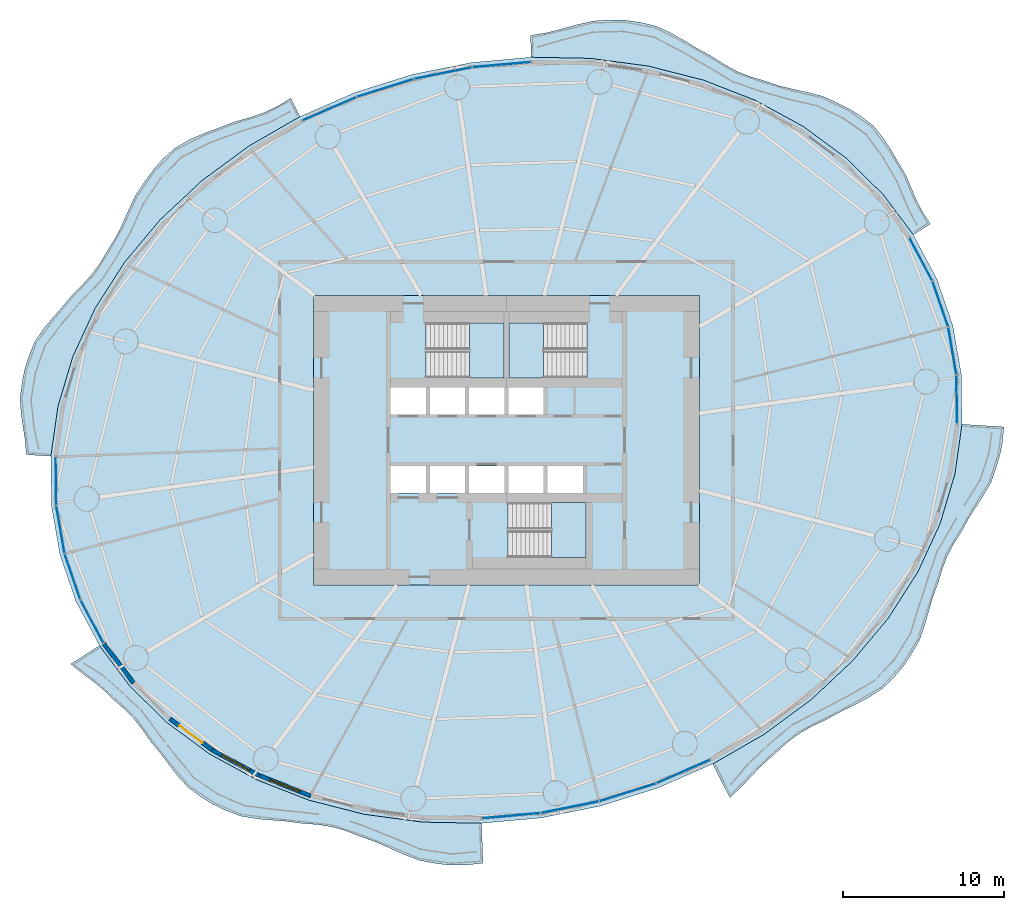
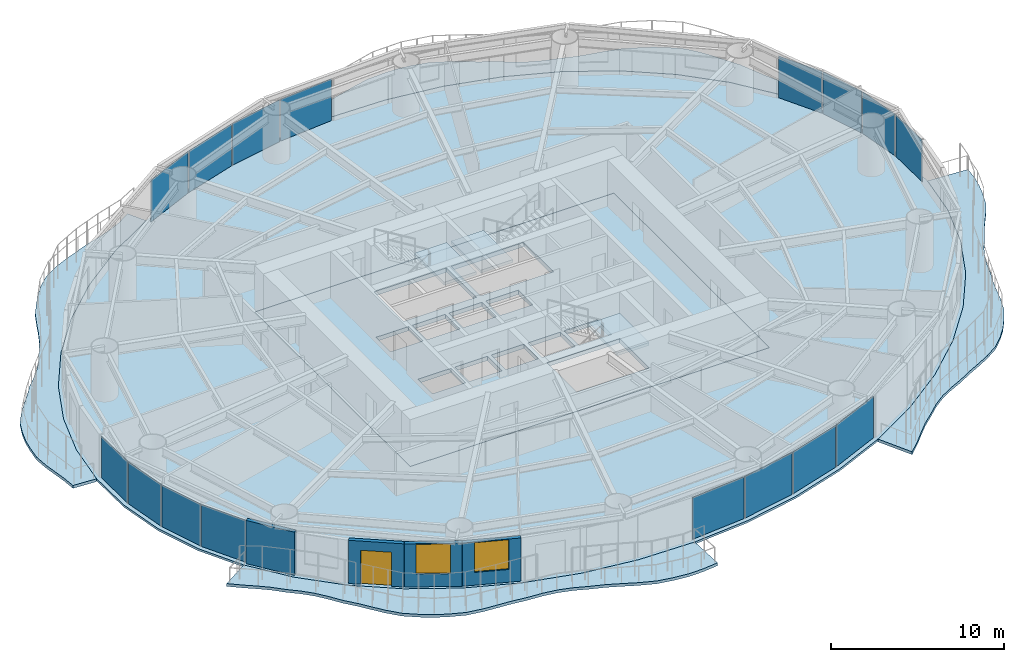
# One storey, part 7 of 17: 16 plates, 9 slabs, 4 walls, 2 windows, 1 door, 3 openings, 19 elements without a shape of their own.
"""IFC4 building model written with IfcOpenShell, lengths in metres."""

from ifc_helpers import new_model, si_unit, direction, frame, frame_2d, origin, origin_2d, place, context, subcontext, project, spatial, polyline, rectangle, outline, extrude, material, layer, layer_set, type_object, element, fill, aggregate, save


model = new_model("IFC4")

# Units and contexts
model_context = context("Model", 3, precision=1e-05, world=origin(), true_north=direction((0.0, 1.0)))
body_context = subcontext(model_context, "Body", "Model", "MODEL_VIEW")
ifc_project = project(units=[si_unit("LENGTHUNIT", "METRE"), si_unit("AREAUNIT", "SQUARE_METRE"), si_unit("VOLUMEUNIT", "CUBIC_METRE"), si_unit("PLANEANGLEUNIT", "RADIAN"), si_unit("MASSUNIT", "GRAM", prefix="KILO")], contexts=[model_context])

# Site, building, storey
site_placement = place(None, origin())
site = spatial("IfcSite", under=ifc_project, at=site_placement, CompositionType="ELEMENT")
building_placement = place(site_placement, origin())
building = spatial("IfcBuilding", under=site, at=building_placement, Name="Vermilion Reach Broadcast Tower", CompositionType="ELEMENT")
storey_placement = place(building_placement, frame((0.0, 0.0, 92.199951171875)))
storey = spatial("IfcBuildingStorey", under=building, at=storey_placement, Name="L20", CompositionType="ELEMENT", Elevation=92.199951171875)

# Slabs
ifc_material_1 = material(Name="Concrete C40/50", Category="concrete")
ifc_layer_1 = layer(ifc_material_1, 0.199951171875)
ifc_layer_set_1 = layer_set([ifc_layer_1], Name="Balcony slab 200")
slab_type_1 = type_object("IfcSlabType", Name="Balcony slab 200", PredefinedType="FLOOR", material=ifc_layer_set_1)
placement_1 = place(storey_placement, frame((0.0, 0.0, -0.199951171875)))
element("IfcSlab", 1, at=placement_1, inside=storey, type_object=slab_type_1, Name="Balcony slab L20 group 1", PredefinedType="FLOOR", context=body_context, shape_type="SweptSolid", body=[
    extrude(outline(polyline([(19.30712890625, 12.774658203125), (17.416015625, 15.29296875), (15.12451171875, 17.5498046875), (12.471435546875, 19.50634765625), (9.502197265625, 21.12890625), (6.267822265625, 22.39013671875), (2.823486328125, 23.268310546875), (-0.771728515625, 23.748291015625), (-4.45654296875, 23.82177734375), (-4.503662109375, 25.1728515625), (-3.504638671875, 25.341552734375), (-2.578369140625, 25.57763671875), (-1.651611328125, 25.838623046875), (-0.593505859375, 26.077392578125), (0.461669921875, 26.134765625), (1.37451171875, 26.120849609375), (2.273681640625, 26.001953125), (3.305419921875, 25.75830078125), (4.262939453125, 25.317626953125), (5.062744140625, 24.857421875), (5.857177734375, 24.37646484375), (6.74951171875, 23.89013671875), (7.578125, 23.36181640625), (8.3466796875, 22.943359375), (9.14990234375, 22.61474609375), (10.0693359375, 22.346435546875), (10.966552734375, 22.04443359375), (11.816650390625, 21.836181640625), (12.68115234375, 21.65380859375), (13.676025390625, 21.394775390625), (14.583740234375, 20.982421875), (15.33251953125, 20.60888671875), (16.032958984375, 20.170166015625), (16.83056640625, 19.548583984375), (17.460205078125, 18.775634765625), (17.90869140625, 18.0849609375), (18.323974609375, 17.361083984375), (18.8251953125, 16.525146484375), (19.1982421875, 15.646484375), (19.516845703125, 14.9013671875), (19.8828125, 14.19140625), (20.36669921875, 13.448974609375), (19.30712890625, 12.774658203125)])), origin(), (0.0, 0.0, 1.0), 0.199951171875),
])
element("IfcSlab", 2, at=placement_1, inside=storey, type_object=slab_type_1, Name="Balcony slab L20 group 2", PredefinedType="FLOOR", context=body_context, shape_type="SweptSolid", body=[
    extrude(outline(polyline([(-18.828857421875, 20.131591796875), (-22.022216796875, 18.2919921875), (-24.941650390625, 16.139404296875), (-27.536865234375, 13.710693359375), (-29.763671875, 11.047119140625), (-31.583740234375, 8.19482421875), (-32.966064453125, 5.2021484375), (-33.88720703125, 2.12060546875), (-34.3310546875, -0.997314453125), (-35.858154296875, -0.899169921875), (-35.940673828125, 0.027099609375), (-36.064453125, 0.840087890625), (-36.185302734375, 1.652587890625), (-36.2509765625, 2.638916015625), (-36.11474609375, 3.62548828125), (-35.95849609375, 4.418212890625), (-35.721435546875, 5.1865234375), (-35.352294921875, 6.104736328125), (-34.7783203125, 6.947021484375), (-34.23046875, 7.601806640625), (-33.6591796875, 8.245849609375), (-33.0458984375, 8.994140625), (-32.3525390625, 9.688720703125), (-31.776123046875, 10.324462890625), (-31.27294921875, 11.0068359375), (-30.804443359375, 11.8095703125), (-30.294921875, 12.62255859375), (-29.89599609375, 13.42041015625), (-29.53271484375, 14.248046875), (-29.09375, 15.1826171875), (-28.513916015625, 16.05517578125), (-27.986083984375, 16.79150390625), (-27.39697265625, 17.46240234375), (-26.625, 18.1630859375), (-25.7001953125, 18.696044921875), (-24.84814453125, 19.068359375), (-23.963623046875, 19.396728515625), (-22.99072265625, 19.773193359375), (-21.981201171875, 20.06640625), (-21.092529296875, 20.369873046875), (-20.2529296875, 20.7578125), (-19.407470703125, 21.27734375), (-18.828857421875, 20.131591796875)])), origin(), (0.0, 0.0, 1.0), 0.199951171875),
])
element("IfcSlab", 3, at=placement_1, inside=storey, type_object=slab_type_1, Name="Balcony slab L20 group 3", PredefinedType="FLOOR", context=body_context, shape_type="SweptSolid", body=[
    extrude(outline(polyline([(-31.30712890625, -12.774658203125), (-29.416015625, -15.29296875), (-27.12451171875, -17.5498046875), (-24.471435546875, -19.50634765625), (-21.502197265625, -21.12890625), (-18.267822265625, -22.39013671875), (-14.823486328125, -23.268310546875), (-11.228271484375, -23.748291015625), (-7.54345703125, -23.82177734375), (-7.456787109375, -26.30419921875), (-8.516845703125, -26.419677734375), (-9.438720703125, -26.431396484375), (-10.3583984375, -26.332275390625), (-11.41064453125, -26.132080078125), (-12.41064453125, -25.751708984375), (-13.27294921875, -25.35986328125), (-14.13720703125, -24.980712890625), (-15.089599609375, -24.64306640625), (-15.999755859375, -24.285400390625), (-16.85546875, -24.044677734375), (-17.73681640625, -23.904296875), (-18.72998046875, -23.829345703125), (-19.708740234375, -23.69677734375), (-20.612548828125, -23.625244140625), (-21.513427734375, -23.546875), (-22.54638671875, -23.37060546875), (-23.49267578125, -23.00732421875), (-24.257568359375, -22.64306640625), (-24.977294921875, -22.196044921875), (-25.801513671875, -21.591552734375), (-26.481201171875, -20.84326171875), (-27.002197265625, -20.1611328125), (-27.517333984375, -19.470947265625), (-28.13427734375, -18.73291015625), (-28.664306640625, -17.96728515625), (-29.164306640625, -17.329345703125), (-29.72216796875, -16.749755859375), (-30.40966796875, -16.161865234375), (-31.051025390625, -15.5361328125), (-31.6796875, -15.023681640625), (-32.336669921875, -14.5322265625), (-33.098876953125, -13.9150390625), (-31.30712890625, -12.774658203125)])), origin(), (0.0, 0.0, 1.0), 0.199951171875),
])
element("IfcSlab", 4, at=placement_1, inside=storey, type_object=slab_type_1, Name="Balcony slab L20 group 4", PredefinedType="FLOOR", context=body_context, shape_type="SweptSolid", body=[
    extrude(outline(polyline([(6.828857421875, -20.131591796875), (10.022216796875, -18.2919921875), (12.941650390625, -16.139404296875), (15.536865234375, -13.710693359375), (17.763671875, -11.047119140625), (19.583740234375, -8.19482421875), (20.966064453125, -5.2021484375), (21.88720703125, -2.12060546875), (22.3310546875, 0.997314453125), (24.945068359375, 0.82958984375), (24.843505859375, -0.155517578125), (24.689453125, -0.928955078125), (24.45947265625, -1.69140625), (24.14306640625, -2.615478515625), (23.64404296875, -3.48486328125), (23.1796875, -4.185302734375), (22.7294921875, -4.889892578125), (22.291015625, -5.703369140625), (21.791015625, -6.490966796875), (21.409912109375, -7.222900390625), (21.110107421875, -7.9921875), (20.844970703125, -8.88427734375), (20.5107421875, -9.789794921875), (20.26416015625, -10.635986328125), (20.024658203125, -11.486572265625), (19.681396484375, -12.451904296875), (19.162353515625, -13.347900390625), (18.676025390625, -14.072509765625), (18.114501953125, -14.734375), (17.37939453125, -15.452880859375), (16.4873046875, -16.026611328125), (15.66845703125, -16.4521484375), (14.83544921875, -16.8623046875), (13.947998046875, -17.349365234375), (13.027099609375, -17.782958984375), (12.232666015625, -18.23388671875), (11.501220703125, -18.769775390625), (10.77099609375, -19.43701171875), (10.00439453125, -20.106689453125), (9.335205078125, -20.791015625), (8.676513671875, -21.4931640625), (7.893310546875, -22.23876953125), (6.828857421875, -20.131591796875)])), origin(), (0.0, 0.0, 1.0), 0.199951171875),
])
ifc_material_2 = material(Name="Concrete C40", Category="concrete")
ifc_layer_2 = layer(ifc_material_2, 0.300048828125)
ifc_layer_set_2 = layer_set([ifc_layer_2], Name="Core floor slab 300 mm Concrete C40")
slab_type_2 = type_object("IfcSlabType", Name="Core floor slab 300 mm Concrete C40", PredefinedType="FLOOR", material=ifc_layer_set_2)
slab_5_placement = place(storey_placement, frame((0.0, 0.0, -0.300048828125)))
element("IfcSlab", 5, at=slab_5_placement, inside=storey, type_object=slab_type_2, Name="L20 core floor", PredefinedType="FLOOR", context=body_context, shape_type="SweptSolid", body=[
    extrude(outline(polyline([(-18.0, -9.0), (6.0, -9.0), (6.0, 9.0), (-18.0, 9.0), (-18.0, -9.0)]), holes=[polyline([(-13.199951171875, 1.60009765625), (-11.00830078125, 1.60009765625), (-11.00830078125, 3.280029296875), (-13.199951171875, 3.280029296875), (-13.199951171875, 1.60009765625)]), polyline([(-10.75830078125, 1.60009765625), (-8.566650390625, 1.60009765625), (-8.566650390625, 3.280029296875), (-10.75830078125, 3.280029296875), (-10.75830078125, 1.60009765625)]), polyline([(-8.316650390625, 1.60009765625), (-6.125, 1.60009765625), (-6.125, 3.280029296875), (-8.316650390625, 3.280029296875), (-8.316650390625, 1.60009765625)]), polyline([(-5.875, 1.60009765625), (-3.683349609375, 1.60009765625), (-3.683349609375, 3.280029296875), (-5.875, 3.280029296875), (-5.875, 1.60009765625)]), polyline([(-13.199951171875, -3.280029296875), (-11.00830078125, -3.280029296875), (-11.00830078125, -1.60009765625), (-13.199951171875, -1.60009765625), (-13.199951171875, -3.280029296875)]), polyline([(-10.75830078125, -3.280029296875), (-8.566650390625, -3.280029296875), (-8.566650390625, -1.60009765625), (-10.75830078125, -1.60009765625), (-10.75830078125, -3.280029296875)]), polyline([(-8.316650390625, -3.280029296875), (-6.125, -3.280029296875), (-6.125, -1.60009765625), (-8.316650390625, -1.60009765625), (-8.316650390625, -3.280029296875)]), polyline([(-5.875, -3.280029296875), (-3.683349609375, -3.280029296875), (-3.683349609375, -1.60009765625), (-5.875, -1.60009765625), (-5.875, -3.280029296875)]), polyline([(-3.433349609375, -3.280029296875), (-1.24169921875, -3.280029296875), (-1.24169921875, -1.60009765625), (-3.433349609375, -1.60009765625), (-3.433349609375, -3.280029296875)]), polyline([(-10.999267578125, 3.8798828125), (-6.14990234375, 3.8798828125), (-6.14990234375, 7.300048828125), (-10.999267578125, 7.300048828125), (-10.999267578125, 3.8798828125)]), polyline([(-1.000732421875, 7.300048828125), (-5.85009765625, 7.300048828125), (-5.85009765625, 3.8798828125), (-1.000732421875, 3.8798828125), (-1.000732421875, 7.300048828125)]), polyline([(-5.8994140625, -7.300048828125), (-1.050048828125, -7.300048828125), (-1.050048828125, -3.8798828125), (-5.8994140625, -3.8798828125), (-5.8994140625, -7.300048828125)])]), origin(), (0.0, 0.0, 1.0), 0.300048828125),
])

# Stair, slab
ifc_material_3 = material(Name="Concrete C40", Category="concrete")
stair_type = type_object("IfcStairType", Name="Exit stair RC 22 risers 164 mm", PredefinedType="HALF_TURN_STAIR", material=ifc_material_3)
placement_2 = place(storey_placement, origin())
stair_1 = element("IfcStair", 6, at=placement_2, inside=storey, type_object=stair_type, Name="L20 Exit stair ST1", PredefinedType="HALF_TURN_STAIR")
ifc_material_4 = material(Name="Concrete C40", Category="concrete")
ifc_layer_3 = layer(ifc_material_4, 0.199951171875)
ifc_layer_set_3 = layer_set([ifc_layer_3], Name="Exit stair landing Concrete C40")
slab_type_3 = type_object("IfcSlabType", Name="Exit stair landing Concrete C40", PredefinedType="LANDING", material=ifc_layer_set_3)
placement_3 = place(storey_placement, frame((0.0, 0.0, 1.60009765625)))
slab_6 = element("IfcSlab", 7, at=placement_3, type_object=slab_type_3, Name="ST1 landing 1", PredefinedType="LANDING", context=body_context, shape_type="SweptSolid", body=[
    extrude(outline(polyline([(-8.300048828125, 3.8798828125), (-6.14990234375, 3.8798828125), (-6.14990234375, 7.300048828125), (-8.300048828125, 7.300048828125), (-8.300048828125, 3.8798828125)])), origin(), (0.0, 0.0, 1.0), 0.199951171875),
])
aggregate(stair_1, [slab_6])

stair_2 = element("IfcStair", 8, at=placement_2, inside=storey, type_object=stair_type, Name="L20 Exit stair ST2", PredefinedType="HALF_TURN_STAIR")
slab_7 = element("IfcSlab", 9, at=placement_3, type_object=slab_type_3, Name="ST2 landing 1", PredefinedType="LANDING", context=body_context, shape_type="SweptSolid", body=[
    extrude(outline(polyline([(-3.699951171875, 7.300048828125), (-5.85009765625, 7.300048828125), (-5.85009765625, 3.8798828125), (-3.699951171875, 3.8798828125), (-3.699951171875, 7.300048828125)])), origin(), (0.0, 0.0, 1.0), 0.199951171875),
])
aggregate(stair_2, [slab_7])

stair_3 = element("IfcStair", 10, at=placement_2, inside=storey, type_object=stair_type, Name="L20 Exit stair ST3", PredefinedType="HALF_TURN_STAIR")
slab_8 = element("IfcSlab", 11, at=placement_3, type_object=slab_type_3, Name="ST3 landing 1", PredefinedType="LANDING", context=body_context, shape_type="SweptSolid", body=[
    extrude(outline(polyline([(-3.199951171875, -7.300048828125), (-1.050048828125, -7.300048828125), (-1.050048828125, -3.8798828125), (-3.199951171875, -3.8798828125), (-3.199951171875, -7.300048828125)])), origin(), (0.0, 0.0, 1.0), 0.199951171875),
])
aggregate(stair_3, [slab_8])

# Slab
ifc_material_5 = material(Name="Concrete C40", Category="concrete")
ifc_layer_4 = layer(ifc_material_5, 0.14990234375)
ifc_layer_set_4 = layer_set([ifc_layer_4], Name="Floor slab Concrete C40 composite 150")
slab_type_4 = type_object("IfcSlabType", Name="Floor slab Concrete C40 composite 150", PredefinedType="FLOOR", material=ifc_layer_set_4)
slab_9_placement = place(storey_placement, frame((0.0, 0.0, -0.14990234375)))
element("IfcSlab", 12, at=slab_9_placement, inside=storey, type_object=slab_type_4, Name="Floor slab L20", PredefinedType="FLOOR", context=body_context, shape_type="SweptSolid", body=[
    extrude(outline(polyline([(21.76513671875, 7.12890625), (20.76513671875, 10.03759765625), (19.30712890625, 12.774658203125), (17.416015625, 15.29296875), (15.12451171875, 17.5498046875), (12.471435546875, 19.50634765625), (9.502197265625, 21.12890625), (6.267822265625, 22.39013671875), (2.823486328125, 23.268310546875), (-0.771728515625, 23.748291015625), (-4.45654296875, 23.82177734375), (-8.167724609375, 23.48779296875), (-11.841796875, 22.751953125), (-15.415771484375, 21.626953125), (-18.828857421875, 20.131591796875), (-22.022216796875, 18.2919921875), (-24.941650390625, 16.139404296875), (-27.536865234375, 13.710693359375), (-29.763671875, 11.047119140625), (-31.583740234375, 8.19482421875), (-32.966064453125, 5.2021484375), (-33.88720703125, 2.12060546875), (-34.3310546875, -0.997314453125), (-34.2900390625, -4.09814453125), (-33.76513671875, -7.12890625), (-32.76513671875, -10.03759765625), (-31.30712890625, -12.774658203125), (-29.416015625, -15.29296875), (-27.12451171875, -17.5498046875), (-24.471435546875, -19.50634765625), (-21.502197265625, -21.12890625), (-18.267822265625, -22.39013671875), (-14.823486328125, -23.268310546875), (-11.228271484375, -23.748291015625), (-7.54345703125, -23.82177734375), (-3.832275390625, -23.48779296875), (-0.158203125, -22.751953125), (3.415771484375, -21.626953125), (6.828857421875, -20.131591796875), (10.022216796875, -18.2919921875), (12.941650390625, -16.139404296875), (15.536865234375, -13.710693359375), (17.763671875, -11.047119140625), (19.583740234375, -8.19482421875), (20.966064453125, -5.2021484375), (21.88720703125, -2.12060546875), (22.3310546875, 0.997314453125), (22.2900390625, 4.09814453125), (21.76513671875, 7.12890625)]), holes=[polyline([(-18.0, -9.0), (6.0, -9.0), (6.0, 9.0), (-18.0, 9.0), (-18.0, -9.0)])]), origin(), (0.0, 0.0, 1.0), 0.14990234375),
])

# Curtain wall, plate
ifc_material_6 = material(Name="Low-e laminated clear glass in aluminium frame", Category="aluminium")
curtain_wall_type = type_object("IfcCurtainWallType", Name="Slot curtain wall", PredefinedType="NOTDEFINED", material=ifc_material_6)
curtain_wall_1 = element("IfcCurtainWall", 13, at=placement_2, inside=storey, type_object=curtain_wall_type, Name="Slot curtain wall L20 46", PredefinedType="NOTDEFINED")
ifc_material_7 = material(Name="Low-e laminated clear glass", Category="glass")
ifc_layer_5 = layer(ifc_material_7, 0.028076171875)
ifc_layer_set_5 = layer_set([ifc_layer_5], Name="Slot glass panel")
plate_type = type_object("IfcPlateType", Name="Slot glass panel", PredefinedType="CURTAIN_PANEL", material=ifc_layer_set_5)
plate_1_placement = place(storey_placement, frame((22.011474609375, 2.543701171875, 0.0), z_axis=(0.0, 0.0, 1.0), x_axis=(-0.013185064591, 0.999913073258, 0.0)))
plate_1 = element("IfcPlate", 14, at=plate_1_placement, type_object=plate_type, Name="Slot glass panel L20 46", PredefinedType="CURTAIN_PANEL", context=body_context, shape_type="SweptSolid", body=[
    extrude(rectangle(XDim=2.97412109375, YDim=0.028076171875, at=origin_2d()), origin(), (0.0, 0.0, 1.0), 2.949951171875),
])
aggregate(curtain_wall_1, [plate_1])

curtain_wall_2 = element("IfcCurtainWall", 15, at=placement_2, inside=storey, type_object=curtain_wall_type, Name="Slot curtain wall L20 47", PredefinedType="NOTDEFINED")
plate_2_placement = place(storey_placement, frame((21.73291015625, 5.5625, 0.0), z_axis=(0.0, 0.0, 1.0), x_axis=(-0.170669846269, 0.985328271986, 0.0)))
plate_2 = element("IfcPlate", 16, at=plate_2_placement, type_object=plate_type, Name="Slot glass panel L20 47", PredefinedType="CURTAIN_PANEL", context=body_context, shape_type="SweptSolid", body=[
    extrude(rectangle(XDim=2.947998046875, YDim=0.028076171875, at=origin_2d()), origin(), (0.0, 0.0, 1.0), 2.949951171875),
])
aggregate(curtain_wall_2, [plate_2])

curtain_wall_3 = element("IfcCurtainWall", 17, at=placement_2, inside=storey, type_object=curtain_wall_type, Name="Slot curtain wall L20 00", PredefinedType="NOTDEFINED")
plate_3_placement = place(storey_placement, frame((20.982421875, 8.486083984375, 0.0), z_axis=(0.0, 0.0, 1.0), x_axis=(-0.325126404224, 0.945670566993, 0.0)))
plate_3 = element("IfcPlate", 18, at=plate_3_placement, type_object=plate_type, Name="Slot glass panel L20 00", PredefinedType="CURTAIN_PANEL", context=body_context, shape_type="SweptSolid", body=[
    extrude(rectangle(XDim=2.947998046875, YDim=0.028076171875, at=origin_2d()), origin(), (0.0, 0.0, 1.0), 2.949951171875),
])
aggregate(curtain_wall_3, [plate_3])

curtain_wall_4 = element("IfcCurtainWall", 19, at=placement_2, inside=storey, type_object=curtain_wall_type, Name="Slot curtain wall L20 01", PredefinedType="NOTDEFINED")
plate_4_placement = place(storey_placement, frame((19.77197265625, 11.265625, 0.0), z_axis=(0.0, 0.0, 1.0), x_axis=(-0.470157763298, 0.882582391401, 0.0)))
plate_4 = element("IfcPlate", 20, at=plate_4_placement, type_object=plate_type, Name="Slot glass panel L20 01", PredefinedType="CURTAIN_PANEL", context=body_context, shape_type="SweptSolid", body=[
    extrude(rectangle(XDim=2.97412109375, YDim=0.028076171875, at=origin_2d()), origin(), (0.0, 0.0, 1.0), 2.949951171875),
])
aggregate(curtain_wall_4, [plate_4])

curtain_wall_5 = element("IfcCurtainWall", 21, at=placement_2, inside=storey, type_object=curtain_wall_type, Name="Slot curtain wall L20 10", PredefinedType="NOTDEFINED")
plate_5_placement = place(storey_placement, frame((-6.285400390625, 23.3564453125, 0.0), z_axis=(0.0, 0.0, 1.0), x_axis=(-0.99597492249, -0.08963232548, 0.0)))
plate_5 = element("IfcPlate", 22, at=plate_5_placement, type_object=plate_type, Name="Slot glass panel L20 10", PredefinedType="CURTAIN_PANEL", context=body_context, shape_type="SweptSolid", body=[
    extrude(rectangle(XDim=3.613525390625, YDim=0.028076171875, at=origin_2d()), origin(), (0.0, 0.0, 1.0), 2.949951171875),
])
aggregate(curtain_wall_5, [plate_5])

curtain_wall_6 = element("IfcCurtainWall", 23, at=placement_2, inside=storey, type_object=curtain_wall_type, Name="Slot curtain wall L20 11", PredefinedType="NOTDEFINED")
plate_6_placement = place(storey_placement, frame((-9.94580078125, 22.826171875, 0.0), z_axis=(0.0, 0.0, 1.0), x_axis=(-0.980526768881, -0.196385476824, 0.0)))
plate_6 = element("IfcPlate", 24, at=plate_6_placement, type_object=plate_type, Name="Slot glass panel L20 11", PredefinedType="CURTAIN_PANEL", context=body_context, shape_type="SweptSolid", body=[
    extrude(rectangle(XDim=3.634765625, YDim=0.028076171875, at=origin_2d()), origin(), (0.0, 0.0, 1.0), 2.949951171875),
])
aggregate(curtain_wall_6, [plate_6])

curtain_wall_7 = element("IfcCurtainWall", 25, at=placement_2, inside=storey, type_object=curtain_wall_type, Name="Slot curtain wall L20 12", PredefinedType="NOTDEFINED")
plate_7_placement = place(storey_placement, frame((-13.538818359375, 21.903564453125, 0.0), z_axis=(0.0, 0.0, 1.0), x_axis=(-0.95385160097, -0.300278409692, 0.0)))
plate_7 = element("IfcPlate", 26, at=plate_7_placement, type_object=plate_type, Name="Slot glass panel L20 12", PredefinedType="CURTAIN_PANEL", context=body_context, shape_type="SweptSolid", body=[
    extrude(rectangle(XDim=3.634765625, YDim=0.028076171875, at=origin_2d()), origin(), (0.0, 0.0, 1.0), 2.949951171875),
])
aggregate(curtain_wall_7, [plate_7])

curtain_wall_8 = element("IfcCurtainWall", 27, at=placement_2, inside=storey, type_object=curtain_wall_type, Name="Slot curtain wall L20 13", PredefinedType="NOTDEFINED")
plate_8_placement = place(storey_placement, frame((-17.001953125, 20.60498046875, 0.0), z_axis=(0.0, 0.0, 1.0), x_axis=(-0.915960142699, -0.401269257466, 0.0)))
plate_8 = element("IfcPlate", 28, at=plate_8_placement, type_object=plate_type, Name="Slot glass panel L20 13", PredefinedType="CURTAIN_PANEL", context=body_context, shape_type="SweptSolid", body=[
    extrude(rectangle(XDim=3.613525390625, YDim=0.028076171875, at=origin_2d()), origin(), (0.0, 0.0, 1.0), 2.949951171875),
])
aggregate(curtain_wall_8, [plate_8])

curtain_wall_9 = element("IfcCurtainWall", 29, at=placement_2, inside=storey, type_object=curtain_wall_type, Name="Slot curtain wall L20 22", PredefinedType="NOTDEFINED")
plate_9_placement = place(storey_placement, frame((-34.011474609375, -2.543701171875, 0.0), z_axis=(0.0, 0.0, 1.0), x_axis=(0.013185064591, -0.999913073258, 0.0)))
plate_9 = element("IfcPlate", 30, at=plate_9_placement, type_object=plate_type, Name="Slot glass panel L20 22", PredefinedType="CURTAIN_PANEL", context=body_context, shape_type="SweptSolid", body=[
    extrude(rectangle(XDim=2.97412109375, YDim=0.028076171875, at=origin_2d()), origin(), (0.0, 0.0, 1.0), 2.949951171875),
])
aggregate(curtain_wall_9, [plate_9])

curtain_wall_10 = element("IfcCurtainWall", 31, at=placement_2, inside=storey, type_object=curtain_wall_type, Name="Slot curtain wall L20 23", PredefinedType="NOTDEFINED")
plate_10_placement = place(storey_placement, frame((-33.73291015625, -5.5625, 0.0), z_axis=(0.0, 0.0, 1.0), x_axis=(0.170669846269, -0.985328271986, 0.0)))
plate_10 = element("IfcPlate", 32, at=plate_10_placement, type_object=plate_type, Name="Slot glass panel L20 23", PredefinedType="CURTAIN_PANEL", context=body_context, shape_type="SweptSolid", body=[
    extrude(rectangle(XDim=2.947998046875, YDim=0.028076171875, at=origin_2d()), origin(), (0.0, 0.0, 1.0), 2.949951171875),
])
aggregate(curtain_wall_10, [plate_10])

curtain_wall_11 = element("IfcCurtainWall", 33, at=placement_2, inside=storey, type_object=curtain_wall_type, Name="Slot curtain wall L20 24", PredefinedType="NOTDEFINED")
plate_11_placement = place(storey_placement, frame((-32.982421875, -8.486083984375, 0.0), z_axis=(0.0, 0.0, 1.0), x_axis=(0.325126404224, -0.945670566993, 0.0)))
plate_11 = element("IfcPlate", 34, at=plate_11_placement, type_object=plate_type, Name="Slot glass panel L20 24", PredefinedType="CURTAIN_PANEL", context=body_context, shape_type="SweptSolid", body=[
    extrude(rectangle(XDim=2.947998046875, YDim=0.028076171875, at=origin_2d()), origin(), (0.0, 0.0, 1.0), 2.949951171875),
])
aggregate(curtain_wall_11, [plate_11])

curtain_wall_12 = element("IfcCurtainWall", 35, at=placement_2, inside=storey, type_object=curtain_wall_type, Name="Slot curtain wall L20 25", PredefinedType="NOTDEFINED")
plate_12_placement = place(storey_placement, frame((-31.77197265625, -11.265625, 0.0), z_axis=(0.0, 0.0, 1.0), x_axis=(0.470157763298, -0.882582391401, 0.0)))
plate_12 = element("IfcPlate", 36, at=plate_12_placement, type_object=plate_type, Name="Slot glass panel L20 25", PredefinedType="CURTAIN_PANEL", context=body_context, shape_type="SweptSolid", body=[
    extrude(rectangle(XDim=2.97412109375, YDim=0.028076171875, at=origin_2d()), origin(), (0.0, 0.0, 1.0), 2.949951171875),
])
aggregate(curtain_wall_12, [plate_12])

curtain_wall_13 = element("IfcCurtainWall", 37, at=placement_2, inside=storey, type_object=curtain_wall_type, Name="Slot curtain wall L20 34", PredefinedType="NOTDEFINED")
plate_13_placement = place(storey_placement, frame((-5.714599609375, -23.3564453125, 0.0), z_axis=(0.0, 0.0, 1.0), x_axis=(0.99597492249, 0.08963232548, 0.0)))
plate_13 = element("IfcPlate", 38, at=plate_13_placement, type_object=plate_type, Name="Slot glass panel L20 34", PredefinedType="CURTAIN_PANEL", context=body_context, shape_type="SweptSolid", body=[
    extrude(rectangle(XDim=3.613525390625, YDim=0.028076171875, at=origin_2d()), origin(), (0.0, 0.0, 1.0), 2.949951171875),
])
aggregate(curtain_wall_13, [plate_13])

curtain_wall_14 = element("IfcCurtainWall", 39, at=placement_2, inside=storey, type_object=curtain_wall_type, Name="Slot curtain wall L20 35", PredefinedType="NOTDEFINED")
plate_14_placement = place(storey_placement, frame((-2.05419921875, -22.826171875, 0.0), z_axis=(0.0, 0.0, 1.0), x_axis=(0.980526768881, 0.196385476824, 0.0)))
plate_14 = element("IfcPlate", 40, at=plate_14_placement, type_object=plate_type, Name="Slot glass panel L20 35", PredefinedType="CURTAIN_PANEL", context=body_context, shape_type="SweptSolid", body=[
    extrude(rectangle(XDim=3.634765625, YDim=0.028076171875, at=origin_2d()), origin(), (0.0, 0.0, 1.0), 2.949951171875),
])
aggregate(curtain_wall_14, [plate_14])

curtain_wall_15 = element("IfcCurtainWall", 41, at=placement_2, inside=storey, type_object=curtain_wall_type, Name="Slot curtain wall L20 36", PredefinedType="NOTDEFINED")
plate_15_placement = place(storey_placement, frame((1.538818359375, -21.903564453125, 0.0), z_axis=(0.0, 0.0, 1.0), x_axis=(0.95385160097, 0.300278409692, 0.0)))
plate_15 = element("IfcPlate", 42, at=plate_15_placement, type_object=plate_type, Name="Slot glass panel L20 36", PredefinedType="CURTAIN_PANEL", context=body_context, shape_type="SweptSolid", body=[
    extrude(rectangle(XDim=3.634765625, YDim=0.028076171875, at=origin_2d()), origin(), (0.0, 0.0, 1.0), 2.949951171875),
])
aggregate(curtain_wall_15, [plate_15])

curtain_wall_16 = element("IfcCurtainWall", 43, at=placement_2, inside=storey, type_object=curtain_wall_type, Name="Slot curtain wall L20 37", PredefinedType="NOTDEFINED")
plate_16_placement = place(storey_placement, frame((5.001953125, -20.60498046875, 0.0), z_axis=(0.0, 0.0, 1.0), x_axis=(0.915960142699, 0.401269257466, 0.0)))
plate_16 = element("IfcPlate", 44, at=plate_16_placement, type_object=plate_type, Name="Slot glass panel L20 37", PredefinedType="CURTAIN_PANEL", context=body_context, shape_type="SweptSolid", body=[
    extrude(rectangle(XDim=3.613525390625, YDim=0.028076171875, at=origin_2d()), origin(), (0.0, 0.0, 1.0), 2.949951171875),
])
aggregate(curtain_wall_16, [plate_16])

# Wall
ifc_material_8 = material(Name="Terracotta rainscreen cladding", Category="masonry")
ifc_layer_6 = layer(ifc_material_8, 0.25)
ifc_layer_set_6 = layer_set([ifc_layer_6], Name="Terracotta rainscreen wall 250")
wall_type = type_object("IfcWallType", Name="Terracotta rainscreen wall 250", PredefinedType="SOLIDWALL", material=ifc_layer_set_6)
wall_1_placement = place(storey_placement, frame((-31.02099609375, -12.657470703125, 0.0), z_axis=(0.0, 0.0, 1.0), x_axis=(0.600437469508, -0.799671710898, 0.0)))
element("IfcWall", 45, at=wall_1_placement, inside=storey, type_object=wall_type, Name="External wall L20 26", PredefinedType="SOLIDWALL", context=body_context, shape_type="SweptSolid", body=[
    extrude(rectangle(XDim=3.035400390625, YDim=0.25, at=frame_2d((1.517578125, 0.0))), origin(), (0.0, 0.0, 1.0), 3.050048828125),
])

# Wall, opening, door
wall_2_placement = place(storey_placement, frame((-26.91943359375, -17.3291015625, 0.0), z_axis=(0.0, 0.0, 1.0), x_axis=(0.804818256087, -0.593521334637, 0.0)))
wall_2 = element("IfcWall", 46, at=wall_2_placement, inside=storey, type_object=wall_type, Name="External wall L20 28", PredefinedType="SOLIDWALL", context=body_context, shape_type="SweptSolid", body=[
    extrude(rectangle(XDim=3.2294921875, YDim=0.25, at=frame_2d((1.61474609375, 0.0))), origin(), (0.0, 0.0, 1.0), 3.050048828125),
])
opening_1_placement = place(wall_2_placement, frame((0.715087890625, 0.0, 0.0)))
opening_1 = element("IfcOpeningElement", 47, at=opening_1_placement, cuts=wall_2, Name="Opening D70", PredefinedType="OPENING", context=body_context, shape_type="SweptSolid", body=[
    extrude(rectangle(XDim=1.800048828125, YDim=2.39990234375, at=frame_2d((0.89990234375, 1.199951171875))), frame((0.0, 0.135009765625, 0.0), z_axis=(0.0, -1.0, 0.0), x_axis=(1.0, 0.0, 0.0)), (0.0, 0.0, 1.0), 0.27001953125),
])
ifc_material_9 = material(Name="Low-e laminated clear glass in aluminium frame", Category="aluminium")
door_type = type_object("IfcDoorType", Name="Balcony sliding door 1800 x 2400", OperationType="DOUBLE_DOOR_SLIDING", PredefinedType="DOOR", material=ifc_material_9)
door_placement = place(opening_1_placement, origin())
door = element("IfcDoor", 48, at=door_placement, inside=storey, type_object=door_type, Name="Balcony door L20 run 07", OperationType="DOUBLE_DOOR_SLIDING", OverallHeight=2.39990234375, OverallWidth=1.800048828125, PredefinedType="DOOR", context=body_context, shape_type="SweptSolid", body=[
    extrude(rectangle(XDim=1.800048828125, YDim=2.39990234375, at=frame_2d((0.89990234375, 1.199951171875))), frame((0.0, 0.02490234375, 0.0), z_axis=(0.0, -1.0, 0.0), x_axis=(1.0, 0.0, 0.0)), (0.0, 0.0, 1.0), 0.050048828125),
])
fill(opening_1, door)

# Wall, opening, window
wall_3_placement = place(storey_placement, frame((-24.29931640625, -19.25927734375, 0.0), z_axis=(0.0, 0.0, 1.0), x_axis=(0.877535565007, -0.479511555803, 0.0)))
wall_3 = element("IfcWall", 49, at=wall_3_placement, inside=storey, type_object=wall_type, Name="External wall L20 29", PredefinedType="SOLIDWALL", context=body_context, shape_type="SweptSolid", body=[
    extrude(rectangle(XDim=3.319580078125, YDim=0.25, at=frame_2d((1.65966796875, 0.0))), origin(), (0.0, 0.0, 1.0), 3.050048828125),
])
opening_2_placement = place(wall_3_placement, frame((0.659912109375, 0.0, 0.89990234375)))
opening_2 = element("IfcOpeningElement", 50, at=opening_2_placement, cuts=wall_3, Name="Opening W03", PredefinedType="OPENING", context=body_context, shape_type="SweptSolid", body=[
    extrude(rectangle(XDim=2.0, YDim=2.10009765625, at=frame_2d((1.0, 1.050048828125))), frame((0.0, 0.135009765625, 0.0), z_axis=(0.0, -1.0, 0.0), x_axis=(1.0, 0.0, 0.0)), (0.0, 0.0, 1.0), 0.27001953125),
])
ifc_material_10 = material(Name="Low-e laminated clear glass in aluminium frame", Category="aluminium")
window_type = type_object("IfcWindowType", Name="Punched window 2000 x 2100 sill 900", PartitioningType="SINGLE_PANEL", PredefinedType="WINDOW", material=ifc_material_10)
window_1_placement = place(opening_2_placement, origin())
window_1 = element("IfcWindow", 51, at=window_1_placement, inside=storey, type_object=window_type, Name="Window L20 29", OverallHeight=2.10009765625, OverallWidth=2.0, PartitioningType="SINGLE_PANEL", PredefinedType="WINDOW", context=body_context, shape_type="SweptSolid", body=[
    extrude(rectangle(XDim=2.0, YDim=2.10009765625, at=frame_2d((1.0, 1.050048828125))), frame((0.0, 0.030029296875, 0.0), z_axis=(0.0, -1.0, 0.0), x_axis=(1.0, 0.0, 0.0)), (0.0, 0.0, 1.0), 0.06005859375),
])
fill(opening_2, window_1)

wall_4_placement = place(storey_placement, frame((-21.364501953125, -20.861328125, 0.0), z_axis=(0.0, 0.0, 1.0), x_axis=(0.931689933138, -0.363254550541, 0.0)))
wall_4 = element("IfcWall", 52, at=wall_4_placement, inside=storey, type_object=wall_type, Name="External wall L20 30", PredefinedType="SOLIDWALL", context=body_context, shape_type="SweptSolid", body=[
    extrude(rectangle(XDim=3.41015625, YDim=0.25, at=frame_2d((1.705078125, 0.0))), origin(), (0.0, 0.0, 1.0), 3.050048828125),
])
opening_3_placement = place(wall_4_placement, frame((0.705078125, 0.0, 0.89990234375)))
opening_3 = element("IfcOpeningElement", 53, at=opening_3_placement, cuts=wall_4, Name="Opening W03", PredefinedType="OPENING", context=body_context, shape_type="SweptSolid", body=[
    extrude(rectangle(XDim=2.0, YDim=2.10009765625, at=frame_2d((1.0, 1.050048828125))), frame((0.0, 0.135009765625, 0.0), z_axis=(0.0, -1.0, 0.0), x_axis=(1.0, 0.0, 0.0)), (0.0, 0.0, 1.0), 0.27001953125),
])
window_2_placement = place(opening_3_placement, origin())
window_2 = element("IfcWindow", 54, at=window_2_placement, inside=storey, type_object=window_type, Name="Window L20 30", OverallHeight=2.10009765625, OverallWidth=2.0, PartitioningType="SINGLE_PANEL", PredefinedType="WINDOW", context=body_context, shape_type="SweptSolid", body=[
    extrude(rectangle(XDim=2.0, YDim=2.10009765625, at=frame_2d((1.0, 1.050048828125))), frame((0.0, 0.030029296875, 0.0), z_axis=(0.0, -1.0, 0.0), x_axis=(1.0, 0.0, 0.0)), (0.0, 0.0, 1.0), 0.06005859375),
])
fill(opening_3, window_2)

save(model, "model.ifc")
